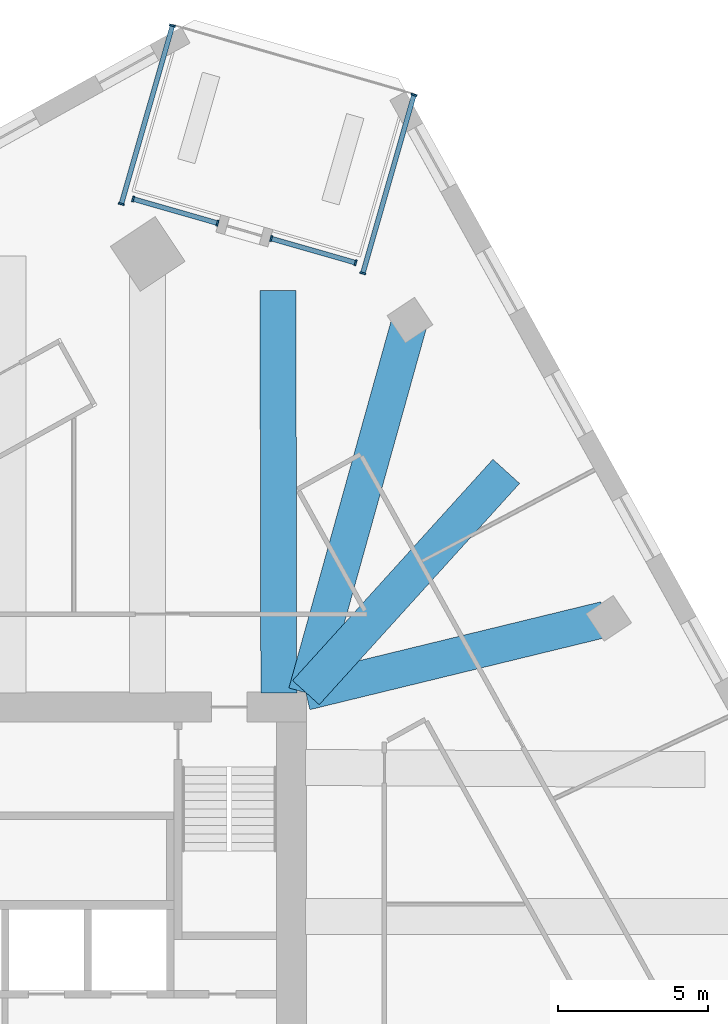
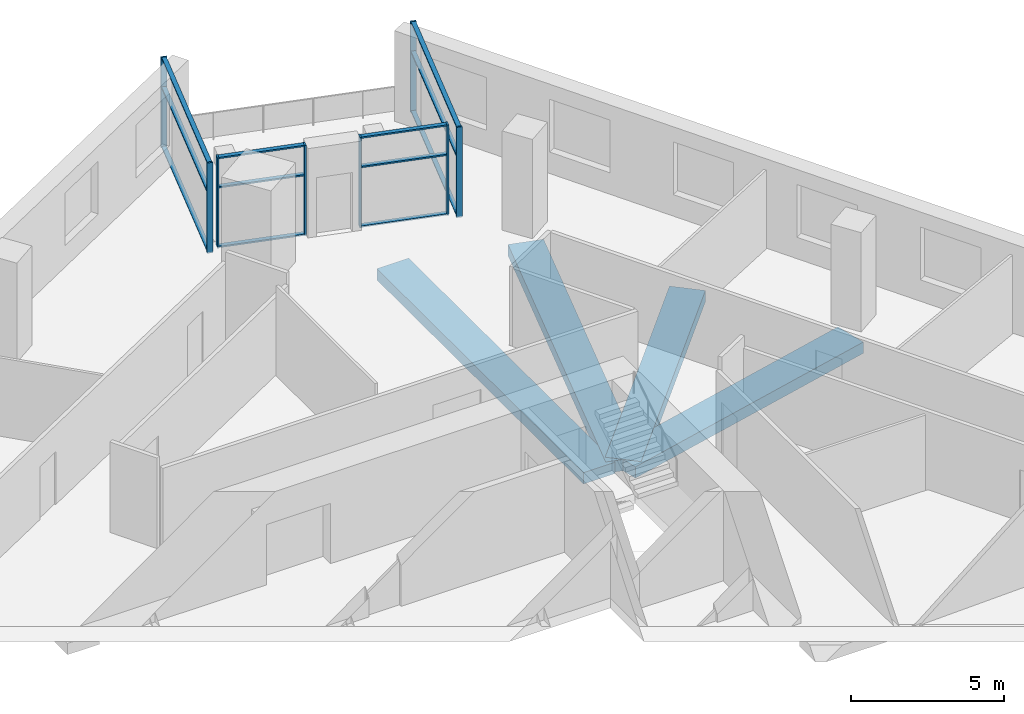
# One storey, part 2 of 11: 20 members, 4 beams, 4 elements without a shape of their own.
"""IFC4 building model written with IfcOpenShell, lengths in metres."""

from ifc_helpers import new_model, si_unit, direction, frame, origin, origin_2d, place, context, subcontext, project, spatial, rectangle, extrude, material, material_profile, profile_set, type_object, element, aggregate, save


model = new_model("IFC4")

# Units and contexts
model_context = context("Model", 3, precision=1e-05, world=origin(), true_north=direction((0.0, 1.0)))
body_context = subcontext(model_context, "Body", "Model", "MODEL_VIEW")
ifc_project = project(units=[si_unit("LENGTHUNIT", "METRE"), si_unit("AREAUNIT", "SQUARE_METRE"), si_unit("VOLUMEUNIT", "CUBIC_METRE"), si_unit("PLANEANGLEUNIT", "RADIAN"), si_unit("MASSUNIT", "GRAM", prefix="KILO")], contexts=[model_context])

# Site, building, storey
site_placement = place(None, origin())
site = spatial("IfcSite", under=ifc_project, at=site_placement, CompositionType="ELEMENT")
building_placement = place(site_placement, origin())
building = spatial("IfcBuilding", under=site, at=building_placement, Name="Dilmun Exchange Tower", CompositionType="ELEMENT")
storey_placement = place(building_placement, frame((0.0, 0.0, 135.699951171875)))
storey = spatial("IfcBuildingStorey", under=building, at=storey_placement, Name="L31", CompositionType="ELEMENT", Elevation=135.699951171875)

# Curtain wall, members
ifc_material_1 = material(Name="Anodised aluminium and clear glass", Category="aluminium")
curtain_wall_type = type_object("IfcCurtainWallType", Name="Garden corner glazing", PredefinedType="NOTDEFINED", material=ifc_material_1)
curtain_wall_1_placement = place(storey_placement, origin())
curtain_wall_1 = element("IfcCurtainWall", 1, at=curtain_wall_1_placement, inside=storey, type_object=curtain_wall_type, Name="Garden corner glazing run GC1.1", PredefinedType="NOTDEFINED")
ifc_material_2 = material(Name="Anodised aluminium", Category="aluminium")
ifc_material_profile_1 = material_profile(ifc_material_2, rectangle(XDim=0.199951171875, YDim=0.06005859375, at=origin_2d()), Name="AL 60x200")
ifc_profile_set_1 = profile_set([ifc_material_profile_1], Name="Anodised aluminium")
member_type_1 = type_object("IfcMemberType", Name="Garden corner glazing mullion 60 x 200", PredefinedType="MULLION", material=ifc_profile_set_1)
member_1_placement = place(storey_placement, frame((16.38623046875, 32.712158203125, 0.0), z_axis=(0.0, 0.0, 1.0), x_axis=(0.961263137899, -0.275632327054, 0.0)))
member_1 = element("IfcMember", 2, at=member_1_placement, type_object=member_type_1, Name="GC1.1 mullion 1", PredefinedType="MULLION", context=body_context, shape_type="SweptSolid", body=[
    extrude(rectangle(XDim=0.199951171875, YDim=0.06005859375, at=origin_2d()), origin(), (0.0, 0.0, 1.0), 3.60009765625),
])
member_2_placement = place(storey_placement, frame((14.680908203125, 26.765625, 0.0), z_axis=(0.0, 0.0, 1.0), x_axis=(0.961263137899, -0.275632327054, 0.0)))
member_2 = element("IfcMember", 3, at=member_2_placement, type_object=member_type_1, Name="GC1.1 mullion 2", PredefinedType="MULLION", context=body_context, shape_type="SweptSolid", body=[
    extrude(rectangle(XDim=0.199951171875, YDim=0.06005859375, at=origin_2d()), origin(), (0.0, 0.0, 1.0), 3.60009765625),
])

curtain_wall_2_placement = place(storey_placement, origin())
curtain_wall_2 = element("IfcCurtainWall", 4, at=curtain_wall_2_placement, inside=storey, type_object=curtain_wall_type, Name="Garden corner glazing run GC2.1", PredefinedType="NOTDEFINED")
member_3_placement = place(storey_placement, frame((14.438232421875, 27.115966796875, 0.0), z_axis=(0.0, 0.0, 1.0), x_axis=(-0.275666563186, -0.96125332038, 0.0)))
member_3 = element("IfcMember", 5, at=member_3_placement, type_object=member_type_1, Name="GC2.1 mullion 1", PredefinedType="MULLION", context=body_context, shape_type="SweptSolid", body=[
    extrude(rectangle(XDim=0.199951171875, YDim=0.06005859375, at=origin_2d()), origin(), (0.0, 0.0, 1.0), 3.60009765625),
])
member_4_placement = place(storey_placement, frame((11.62255859375, 27.92333984375, 0.0), z_axis=(0.0, 0.0, 1.0), x_axis=(-0.275666563186, -0.96125332038, 0.0)))
member_4 = element("IfcMember", 6, at=member_4_placement, type_object=member_type_1, Name="GC2.1 mullion 2", PredefinedType="MULLION", context=body_context, shape_type="SweptSolid", body=[
    extrude(rectangle(XDim=0.199951171875, YDim=0.06005859375, at=origin_2d()), origin(), (0.0, 0.0, 1.0), 3.60009765625),
])

curtain_wall_3_placement = place(storey_placement, origin())
curtain_wall_3 = element("IfcCurtainWall", 7, at=curtain_wall_3_placement, inside=storey, type_object=curtain_wall_type, Name="Garden corner glazing run GC2.3", PredefinedType="NOTDEFINED")
member_5_placement = place(storey_placement, frame((9.83447265625, 28.43603515625, 0.0), z_axis=(0.0, 0.0, 1.0), x_axis=(-0.275635650366, -0.961262184967, 0.0)))
member_5 = element("IfcMember", 8, at=member_5_placement, type_object=member_type_1, Name="GC2.3 mullion 1", PredefinedType="MULLION", context=body_context, shape_type="SweptSolid", body=[
    extrude(rectangle(XDim=0.199951171875, YDim=0.06005859375, at=origin_2d()), origin(), (0.0, 0.0, 1.0), 3.60009765625),
])
member_6_placement = place(storey_placement, frame((7.01904296875, 29.243408203125, 0.0), z_axis=(0.0, 0.0, 1.0), x_axis=(-0.275635650366, -0.961262184967, 0.0)))
member_6 = element("IfcMember", 9, at=member_6_placement, type_object=member_type_1, Name="GC2.3 mullion 2", PredefinedType="MULLION", context=body_context, shape_type="SweptSolid", body=[
    extrude(rectangle(XDim=0.199951171875, YDim=0.06005859375, at=origin_2d()), origin(), (0.0, 0.0, 1.0), 3.60009765625),
])

curtain_wall_4_placement = place(storey_placement, origin())
curtain_wall_4 = element("IfcCurtainWall", 10, at=curtain_wall_4_placement, inside=storey, type_object=curtain_wall_type, Name="Garden corner glazing run GC3.1", PredefinedType="NOTDEFINED")
member_7_placement = place(storey_placement, frame((6.62744140625, 29.074951171875, 0.0), z_axis=(0.0, 0.0, 1.0), x_axis=(-0.961264354152, 0.275628085354, 0.0)))
member_7 = element("IfcMember", 11, at=member_7_placement, type_object=member_type_1, Name="GC3.1 mullion 1", PredefinedType="MULLION", context=body_context, shape_type="SweptSolid", body=[
    extrude(rectangle(XDim=0.199951171875, YDim=0.06005859375, at=origin_2d()), origin(), (0.0, 0.0, 1.0), 3.60009765625),
])
member_8_placement = place(storey_placement, frame((8.33251953125, 35.021728515625, 0.0), z_axis=(0.0, 0.0, 1.0), x_axis=(-0.961264354152, 0.275628085354, 0.0)))
member_8 = element("IfcMember", 12, at=member_8_placement, type_object=member_type_1, Name="GC3.1 mullion 2", PredefinedType="MULLION", context=body_context, shape_type="SweptSolid", body=[
    extrude(rectangle(XDim=0.199951171875, YDim=0.06005859375, at=origin_2d()), origin(), (0.0, 0.0, 1.0), 3.60009765625),
])

# Member
ifc_material_profile_2 = material_profile(ifc_material_2, rectangle(XDim=0.159912109375, YDim=0.06005859375, at=origin_2d()), Name="AL 60x160")
ifc_profile_set_2 = profile_set([ifc_material_profile_2], Name="Anodised aluminium")
member_type_2 = type_object("IfcMemberType", Name="Garden corner glazing transom 60 x 160", PredefinedType="USERDEFINED", material=ifc_profile_set_2)
member_9_placement = place(storey_placement, frame((16.3779296875, 32.683349609375, 0.030029296875), z_axis=(-0.275652621058, -0.96125731857, 0.0), x_axis=(0.96125731857, -0.275652621058, 0.0)))
member_9 = element("IfcMember", 13, at=member_9_placement, type_object=member_type_2, Name="GC1.1 transom 1.1", ObjectType="TRANSOM", PredefinedType="USERDEFINED", context=body_context, shape_type="SweptSolid", body=[
    extrude(rectangle(XDim=0.159912109375, YDim=0.06005859375, at=origin_2d()), origin(), (0.0, 0.0, 1.0), 6.126220703125),
])

member_10_placement = place(storey_placement, frame((16.3779296875, 32.683349609375, 2.400146484375), z_axis=(-0.275652621058, -0.96125731857, 0.0), x_axis=(0.96125731857, -0.275652621058, 0.0)))
member_10 = element("IfcMember", 14, at=member_10_placement, type_object=member_type_2, Name="GC1.1 transom 1.2", ObjectType="TRANSOM", PredefinedType="USERDEFINED", context=body_context, shape_type="SweptSolid", body=[
    extrude(rectangle(XDim=0.159912109375, YDim=0.06005859375, at=origin_2d()), origin(), (0.0, 0.0, 1.0), 6.126220703125),
])

member_11_placement = place(storey_placement, frame((16.3779296875, 32.683349609375, 3.570068359375), z_axis=(-0.275652621058, -0.96125731857, 0.0), x_axis=(0.96125731857, -0.275652621058, 0.0)))
member_11 = element("IfcMember", 15, at=member_11_placement, type_object=member_type_2, Name="GC1.1 transom 1.3", ObjectType="TRANSOM", PredefinedType="USERDEFINED", context=body_context, shape_type="SweptSolid", body=[
    extrude(rectangle(XDim=0.159912109375, YDim=0.06005859375, at=origin_2d()), origin(), (0.0, 0.0, 1.0), 6.126220703125),
])

aggregate(curtain_wall_1, [member_1, member_2, member_9, member_10, member_11])

member_12_placement = place(storey_placement, frame((14.409423828125, 27.124267578125, 0.030029296875), z_axis=(-0.961269871069, 0.275608844153, 0.0), x_axis=(-0.275608844153, -0.961269871069, 0.0)))
member_12 = element("IfcMember", 16, at=member_12_placement, type_object=member_type_2, Name="GC2.1 transom 1.1", ObjectType="TRANSOM", PredefinedType="USERDEFINED", context=body_context, shape_type="SweptSolid", body=[
    extrude(rectangle(XDim=0.159912109375, YDim=0.06005859375, at=origin_2d()), origin(), (0.0, 0.0, 1.0), 2.869140625),
])

member_13_placement = place(storey_placement, frame((14.409423828125, 27.124267578125, 2.400146484375), z_axis=(-0.961269871069, 0.275608844153, 0.0), x_axis=(-0.275608844153, -0.961269871069, 0.0)))
member_13 = element("IfcMember", 17, at=member_13_placement, type_object=member_type_2, Name="GC2.1 transom 1.2", ObjectType="TRANSOM", PredefinedType="USERDEFINED", context=body_context, shape_type="SweptSolid", body=[
    extrude(rectangle(XDim=0.159912109375, YDim=0.06005859375, at=origin_2d()), origin(), (0.0, 0.0, 1.0), 2.869140625),
])

member_14_placement = place(storey_placement, frame((14.409423828125, 27.124267578125, 3.570068359375), z_axis=(-0.961269871069, 0.275608844153, 0.0), x_axis=(-0.275608844153, -0.961269871069, 0.0)))
member_14 = element("IfcMember", 18, at=member_14_placement, type_object=member_type_2, Name="GC2.1 transom 1.3", ObjectType="TRANSOM", PredefinedType="USERDEFINED", context=body_context, shape_type="SweptSolid", body=[
    extrude(rectangle(XDim=0.159912109375, YDim=0.06005859375, at=origin_2d()), origin(), (0.0, 0.0, 1.0), 2.869140625),
])

aggregate(curtain_wall_2, [member_3, member_4, member_12, member_13, member_14])

member_15_placement = place(storey_placement, frame((9.8056640625, 28.4443359375, 0.030029296875), z_axis=(-0.961263406765, 0.275631389387, 0.0), x_axis=(-0.275631389387, -0.961263406765, 0.0)))
member_15 = element("IfcMember", 19, at=member_15_placement, type_object=member_type_2, Name="GC2.3 transom 1.1", ObjectType="TRANSOM", PredefinedType="USERDEFINED", context=body_context, shape_type="SweptSolid", body=[
    extrude(rectangle(XDim=0.159912109375, YDim=0.06005859375, at=origin_2d()), origin(), (0.0, 0.0, 1.0), 2.868896484375),
])

member_16_placement = place(storey_placement, frame((9.8056640625, 28.4443359375, 2.400146484375), z_axis=(-0.961263406765, 0.275631389387, 0.0), x_axis=(-0.275631389387, -0.961263406765, 0.0)))
member_16 = element("IfcMember", 20, at=member_16_placement, type_object=member_type_2, Name="GC2.3 transom 1.2", ObjectType="TRANSOM", PredefinedType="USERDEFINED", context=body_context, shape_type="SweptSolid", body=[
    extrude(rectangle(XDim=0.159912109375, YDim=0.06005859375, at=origin_2d()), origin(), (0.0, 0.0, 1.0), 2.868896484375),
])

member_17_placement = place(storey_placement, frame((9.8056640625, 28.4443359375, 3.570068359375), z_axis=(-0.961263406765, 0.275631389387, 0.0), x_axis=(-0.275631389387, -0.961263406765, 0.0)))
member_17 = element("IfcMember", 21, at=member_17_placement, type_object=member_type_2, Name="GC2.3 transom 1.3", ObjectType="TRANSOM", PredefinedType="USERDEFINED", context=body_context, shape_type="SweptSolid", body=[
    extrude(rectangle(XDim=0.159912109375, YDim=0.06005859375, at=origin_2d()), origin(), (0.0, 0.0, 1.0), 2.868896484375),
])

aggregate(curtain_wall_3, [member_5, member_6, member_15, member_16, member_17])

member_18_placement = place(storey_placement, frame((6.6357421875, 29.103759765625, 0.030029296875), z_axis=(0.275605239069, 0.961270904687, 0.0), x_axis=(-0.961270904687, 0.275605239069, 0.0)))
member_18 = element("IfcMember", 22, at=member_18_placement, type_object=member_type_2, Name="GC3.1 transom 1.1", ObjectType="TRANSOM", PredefinedType="USERDEFINED", context=body_context, shape_type="SweptSolid", body=[
    extrude(rectangle(XDim=0.159912109375, YDim=0.06005859375, at=origin_2d()), origin(), (0.0, 0.0, 1.0), 6.12646484375),
])

member_19_placement = place(storey_placement, frame((6.6357421875, 29.103759765625, 2.400146484375), z_axis=(0.275605239069, 0.961270904687, 0.0), x_axis=(-0.961270904687, 0.275605239069, 0.0)))
member_19 = element("IfcMember", 23, at=member_19_placement, type_object=member_type_2, Name="GC3.1 transom 1.2", ObjectType="TRANSOM", PredefinedType="USERDEFINED", context=body_context, shape_type="SweptSolid", body=[
    extrude(rectangle(XDim=0.159912109375, YDim=0.06005859375, at=origin_2d()), origin(), (0.0, 0.0, 1.0), 6.12646484375),
])

member_20_placement = place(storey_placement, frame((6.6357421875, 29.103759765625, 3.570068359375), z_axis=(0.275605239069, 0.961270904687, 0.0), x_axis=(-0.961270904687, 0.275605239069, 0.0)))
member_20 = element("IfcMember", 24, at=member_20_placement, type_object=member_type_2, Name="GC3.1 transom 1.3", ObjectType="TRANSOM", PredefinedType="USERDEFINED", context=body_context, shape_type="SweptSolid", body=[
    extrude(rectangle(XDim=0.159912109375, YDim=0.06005859375, at=origin_2d()), origin(), (0.0, 0.0, 1.0), 6.12646484375),
])

aggregate(curtain_wall_4, [member_7, member_8, member_18, member_19, member_20])

# Beams
ifc_material_3 = material(Name="Concrete C40/50", Category="concrete")
ifc_material_profile_3 = material_profile(ifc_material_3, rectangle(XDim=1.199951171875, YDim=0.449951171875, at=origin_2d()), Name="1200 x 450")
ifc_profile_set_3 = profile_set([ifc_material_profile_3], Name="Concrete C40/50")
beam_type = type_object("IfcBeamType", Name="RC band beam 1200 x 450 C40/50", PredefinedType="BEAM", material=ifc_profile_set_3)
beam_1_placement = place(storey_placement, frame((22.760498046875, 15.2255859375, -0.724853515625), z_axis=(-0.97160815916, -0.236595826367, 0.0), x_axis=(0.236595826367, -0.97160815916, 0.0)))
element("IfcBeam", 25, at=beam_1_placement, inside=storey, type_object=beam_type, Name="Band beam 15", PredefinedType="BEAM", context=body_context, shape_type="SweptSolid", body=[
    extrude(rectangle(XDim=1.199951171875, YDim=0.449951171875, at=origin_2d()), origin(), (0.0, 0.0, 1.0), 10.278564453125),
])
beam_2_placement = place(storey_placement, frame((16.21875, 25.07861328125, -0.724853515625), z_axis=(-0.268229398588, -0.963355069397, 0.0), x_axis=(0.963355069397, -0.268229398588, 0.0)))
element("IfcBeam", 26, at=beam_2_placement, inside=storey, type_object=beam_type, Name="Band beam 16", PredefinedType="BEAM", context=body_context, shape_type="SweptSolid", body=[
    extrude(rectangle(XDim=1.199951171875, YDim=0.449951171875, at=origin_2d()), origin(), (0.0, 0.0, 1.0), 12.772705078125),
])
beam_3_placement = place(storey_placement, frame((19.46337890625, 20.15771484375, -0.724853515625), z_axis=(-0.671277398633, -0.741206215627, 0.0), x_axis=(0.741206215627, -0.671277398633, 0.0)))
element("IfcBeam", 27, at=beam_3_placement, inside=storey, type_object=beam_type, Name="Band beam 31", PredefinedType="BEAM", context=body_context, shape_type="SweptSolid", body=[
    extrude(rectangle(XDim=1.199951171875, YDim=0.449951171875, at=origin_2d()), origin(), (0.0, 0.0, 1.0), 9.95361328125),
])
beam_4_placement = place(storey_placement, frame((11.8486328125, 26.183837890625, -0.724853515625), z_axis=(0.002257371686, -0.999997452133, 0.0), x_axis=(0.999997452133, 0.002257371686, 0.0)))
element("IfcBeam", 28, at=beam_4_placement, inside=storey, type_object=beam_type, Name="Band beam 32", PredefinedType="BEAM", context=body_context, shape_type="SweptSolid", body=[
    extrude(rectangle(XDim=1.199951171875, YDim=0.449951171875, at=origin_2d()), origin(), (0.0, 0.0, 1.0), 13.410888671875),
])

save(model, "model.ifc")
